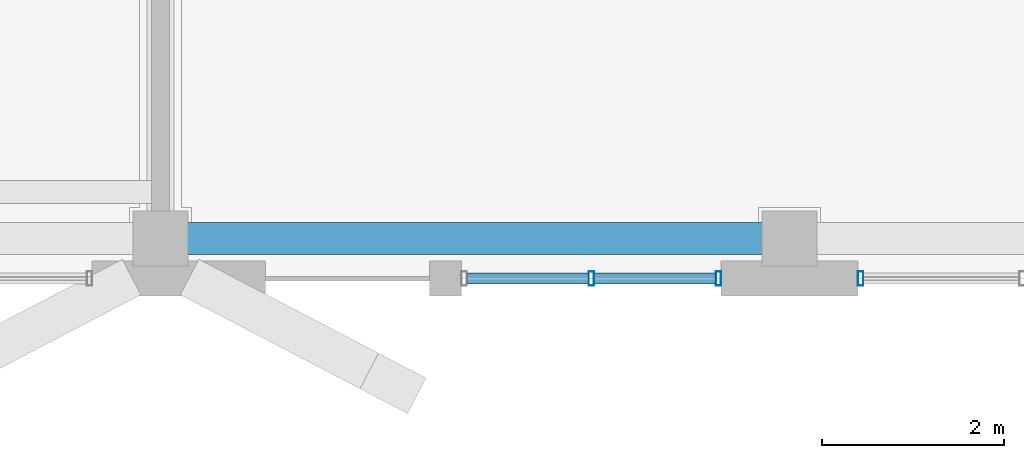
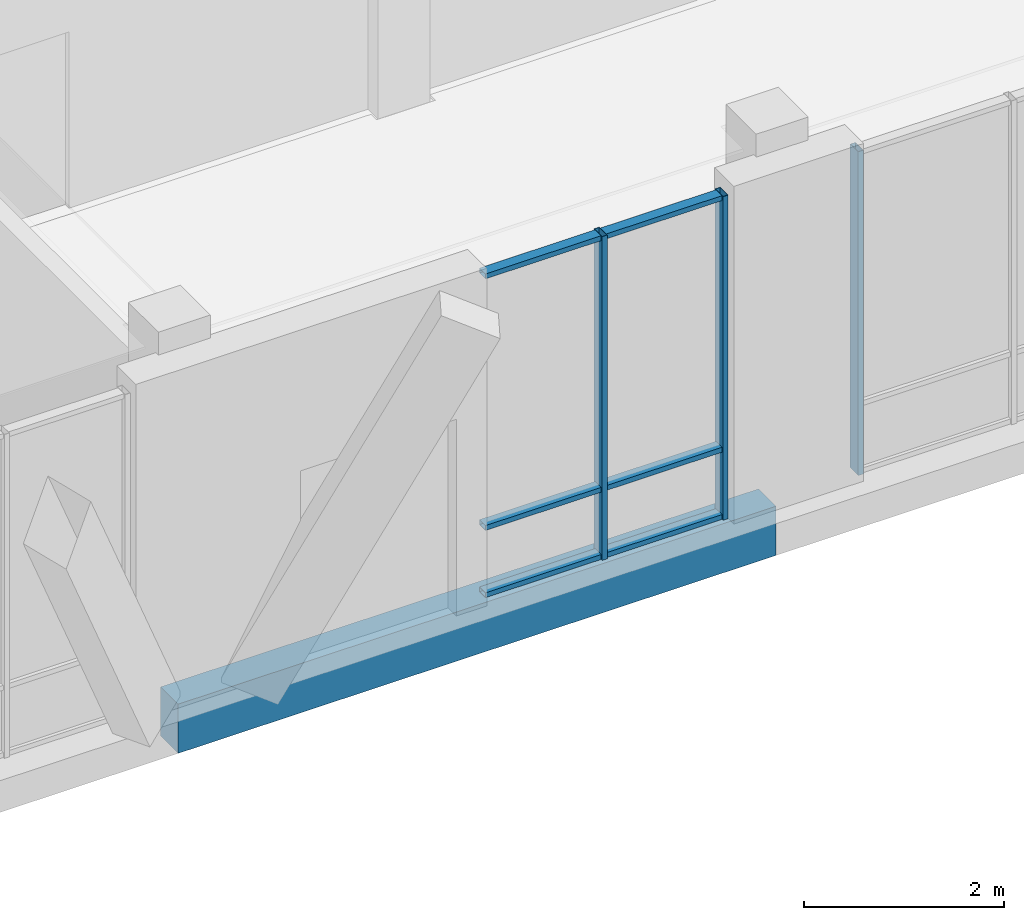
# One storey, part 19 of 233: 9 members, 1 beam, 2 elements without a shape of their own.
"""IFC4 building model written with IfcOpenShell, lengths in metres."""

from ifc_helpers import new_model, si_unit, direction, frame, origin, origin_2d, place, context, subcontext, project, spatial, rectangle, hollow_rectangle, extrude, material, material_profile, profile_set, type_object, element, aggregate, save


model = new_model("IFC4")

# Units and contexts
model_context = context("Model", 3, precision=1e-05, world=origin(), true_north=direction((0.0, 1.0)))
body_context = subcontext(model_context, "Body", "Model", "MODEL_VIEW")
ifc_project = project(units=[si_unit("LENGTHUNIT", "METRE"), si_unit("AREAUNIT", "SQUARE_METRE"), si_unit("VOLUMEUNIT", "CUBIC_METRE"), si_unit("PLANEANGLEUNIT", "RADIAN"), si_unit("MASSUNIT", "GRAM", prefix="KILO")], contexts=[model_context])

# Site, building, storey
site_placement = place(None, origin())
site = spatial("IfcSite", under=ifc_project, at=site_placement, CompositionType="ELEMENT")
building_placement = place(site_placement, origin())
building = spatial("IfcBuilding", under=site, at=building_placement, Name="Zavelmont Quarter", CompositionType="ELEMENT")
storey_placement = place(building_placement, origin())
storey = spatial("IfcBuildingStorey", under=building, at=storey_placement, Name="L00", CompositionType="ELEMENT", Elevation=0.0)

# Beam
ifc_material_1 = material(Name="Concrete C35/45", Category="concrete")
ifc_material_profile_1 = material_profile(ifc_material_1, rectangle(XDim=0.35009765625, YDim=0.60009765625, at=origin_2d()), Name="RC350X600")
ifc_profile_set_1 = profile_set([ifc_material_profile_1], Name="Concrete C35/45")
beam_type = type_object("IfcBeamType", Name="BM01", PredefinedType="SPANDREL", material=ifc_profile_set_1)
beam_placement = place(storey_placement, frame((6.89990234375, 0.43994140625, -0.6201171875), z_axis=(1.0, 0.0, 0.0), x_axis=(0.0, 1.0, 0.0)))
element("IfcBeam", 1, at=beam_placement, inside=storey, type_object=beam_type, Name="L00 beam BM01 2/A to 3/A", PredefinedType="SPANDREL", context=body_context, shape_type="SweptSolid", body=[
    extrude(rectangle(XDim=0.35009765625, YDim=0.60009765625, at=origin_2d()), origin(), (0.0, 0.0, 1.0), 6.900146484375),
])

# Curtain wall, members
ifc_material_2 = material(Name="Thermally broken aluminium and double low-E safety glazing", Category="aluminium")
curtain_wall_type_1 = type_object("IfcCurtainWallType", Name="CW-285X395", PredefinedType="NOTDEFINED", material=ifc_material_2)
curtain_wall_1_placement = place(storey_placement, origin())
curtain_wall_1 = element("IfcCurtainWall", 2, at=curtain_wall_1_placement, inside=storey, type_object=curtain_wall_type_1, Name="L00 unitised curtain wall CW-285X395", PredefinedType="NOTDEFINED")
ifc_material_3 = material(Name="Powder-coated aluminium EN AW-6063-T6", Category="aluminium")
ifc_material_profile_2 = material_profile(ifc_material_3, hollow_rectangle(XDim=0.06005859375, YDim=0.159912109375, WallThickness=0.00390625, at=origin_2d()), Name="CWM60X160")
ifc_profile_set_2 = profile_set([ifc_material_profile_2], Name="Powder-coated aluminium EN AW-6063-T6")
member_type_1 = type_object("IfcMemberType", Name="CWM01", PredefinedType="MULLION", material=ifc_profile_set_2)
member_1_placement = place(storey_placement, frame((11.625, 0.0, 0.0), z_axis=(0.0, 0.0, 1.0), x_axis=(1.0, 0.0, 0.0)))
member_1 = element("IfcMember", 3, at=member_1_placement, type_object=member_type_1, Name="CW-285X395 mullion 2", PredefinedType="MULLION", context=body_context, shape_type="SweptSolid", body=[
    extrude(hollow_rectangle(XDim=0.06005859375, YDim=0.159912109375, WallThickness=0.00390625, at=origin_2d()), origin(), (0.0, 0.0, 1.0), 3.949951171875),
])
member_2_placement = place(storey_placement, frame((13.02001953125, 0.0, 0.0), z_axis=(0.0, 0.0, 1.0), x_axis=(1.0, 0.0, 0.0)))
member_2 = element("IfcMember", 4, at=member_2_placement, type_object=member_type_1, Name="CW-285X395 mullion 3", PredefinedType="MULLION", context=body_context, shape_type="SweptSolid", body=[
    extrude(hollow_rectangle(XDim=0.06005859375, YDim=0.159912109375, WallThickness=0.00390625, at=origin_2d()), origin(), (0.0, 0.0, 1.0), 3.949951171875),
])

# Curtain wall, member
curtain_wall_type_2 = type_object("IfcCurtainWallType", Name="CW-540X395", PredefinedType="NOTDEFINED", material=ifc_material_2)
curtain_wall_2_placement = place(storey_placement, origin())
curtain_wall_2 = element("IfcCurtainWall", 5, at=curtain_wall_2_placement, inside=storey, type_object=curtain_wall_type_2, Name="L00 unitised curtain wall CW-540X395", PredefinedType="NOTDEFINED")
member_3_placement = place(storey_placement, frame((14.580078125, 0.0, 0.0), z_axis=(0.0, 0.0, 1.0), x_axis=(1.0, 0.0, 0.0)))
member_3 = element("IfcMember", 6, at=member_3_placement, type_object=member_type_1, Name="CW-540X395 mullion 1", PredefinedType="MULLION", context=body_context, shape_type="SweptSolid", body=[
    extrude(hollow_rectangle(XDim=0.06005859375, YDim=0.159912109375, WallThickness=0.00390625, at=origin_2d()), origin(), (0.0, 0.0, 1.0), 3.949951171875),
])
aggregate(curtain_wall_2, [member_3])

# Member
ifc_material_profile_3 = material_profile(ifc_material_3, hollow_rectangle(XDim=0.1201171875, YDim=0.06005859375, WallThickness=0.00390625, at=origin_2d()), Name="CWT60X120")
ifc_profile_set_3 = profile_set([ifc_material_profile_3], Name="Powder-coated aluminium EN AW-6063-T6")
member_type_2 = type_object("IfcMemberType", Name="CWT01", PredefinedType="NOTDEFINED", material=ifc_profile_set_3)
member_4_placement = place(storey_placement, frame((10.260009765625, 0.0, 0.030029296875), z_axis=(1.0, 0.0, 0.0), x_axis=(0.0, 1.0, 0.0)))
member_4 = element("IfcMember", 7, at=member_4_placement, type_object=member_type_2, Name="CW-285X395 transom 1.1", ObjectType="TRANSOM", PredefinedType="USERDEFINED", context=body_context, shape_type="SweptSolid", body=[
    extrude(hollow_rectangle(XDim=0.1201171875, YDim=0.06005859375, WallThickness=0.00390625, at=origin_2d()), origin(), (0.0, 0.0, 1.0), 1.3349609375),
])

member_5_placement = place(storey_placement, frame((10.260009765625, 0.0, 0.85009765625), z_axis=(1.0, 0.0, 0.0), x_axis=(0.0, 1.0, 0.0)))
member_5 = element("IfcMember", 8, at=member_5_placement, type_object=member_type_2, Name="CW-285X395 transom 1.2", ObjectType="TRANSOM", PredefinedType="USERDEFINED", context=body_context, shape_type="SweptSolid", body=[
    extrude(hollow_rectangle(XDim=0.1201171875, YDim=0.06005859375, WallThickness=0.00390625, at=origin_2d()), origin(), (0.0, 0.0, 1.0), 1.3349609375),
])

member_6_placement = place(storey_placement, frame((10.260009765625, 0.0, 3.919921875), z_axis=(1.0, 0.0, 0.0), x_axis=(0.0, 1.0, 0.0)))
member_6 = element("IfcMember", 9, at=member_6_placement, type_object=member_type_2, Name="CW-285X395 transom 1.3", ObjectType="TRANSOM", PredefinedType="USERDEFINED", context=body_context, shape_type="SweptSolid", body=[
    extrude(hollow_rectangle(XDim=0.1201171875, YDim=0.06005859375, WallThickness=0.00390625, at=origin_2d()), origin(), (0.0, 0.0, 1.0), 1.3349609375),
])

member_7_placement = place(storey_placement, frame((11.655029296875, 0.0, 0.030029296875), z_axis=(1.0, 0.0, 0.0), x_axis=(0.0, 1.0, 0.0)))
member_7 = element("IfcMember", 10, at=member_7_placement, type_object=member_type_2, Name="CW-285X395 transom 2.1", ObjectType="TRANSOM", PredefinedType="USERDEFINED", context=body_context, shape_type="SweptSolid", body=[
    extrude(hollow_rectangle(XDim=0.1201171875, YDim=0.06005859375, WallThickness=0.00390625, at=origin_2d()), origin(), (0.0, 0.0, 1.0), 1.3349609375),
])

member_8_placement = place(storey_placement, frame((11.655029296875, 0.0, 0.85009765625), z_axis=(1.0, 0.0, 0.0), x_axis=(0.0, 1.0, 0.0)))
member_8 = element("IfcMember", 11, at=member_8_placement, type_object=member_type_2, Name="CW-285X395 transom 2.2", ObjectType="TRANSOM", PredefinedType="USERDEFINED", context=body_context, shape_type="SweptSolid", body=[
    extrude(hollow_rectangle(XDim=0.1201171875, YDim=0.06005859375, WallThickness=0.00390625, at=origin_2d()), origin(), (0.0, 0.0, 1.0), 1.3349609375),
])

member_9_placement = place(storey_placement, frame((11.655029296875, 0.0, 3.919921875), z_axis=(1.0, 0.0, 0.0), x_axis=(0.0, 1.0, 0.0)))
member_9 = element("IfcMember", 12, at=member_9_placement, type_object=member_type_2, Name="CW-285X395 transom 2.3", ObjectType="TRANSOM", PredefinedType="USERDEFINED", context=body_context, shape_type="SweptSolid", body=[
    extrude(hollow_rectangle(XDim=0.1201171875, YDim=0.06005859375, WallThickness=0.00390625, at=origin_2d()), origin(), (0.0, 0.0, 1.0), 1.3349609375),
])

aggregate(curtain_wall_1, [member_1, member_2, member_4, member_5, member_6, member_7, member_8, member_9])

save(model, "model.ifc")
